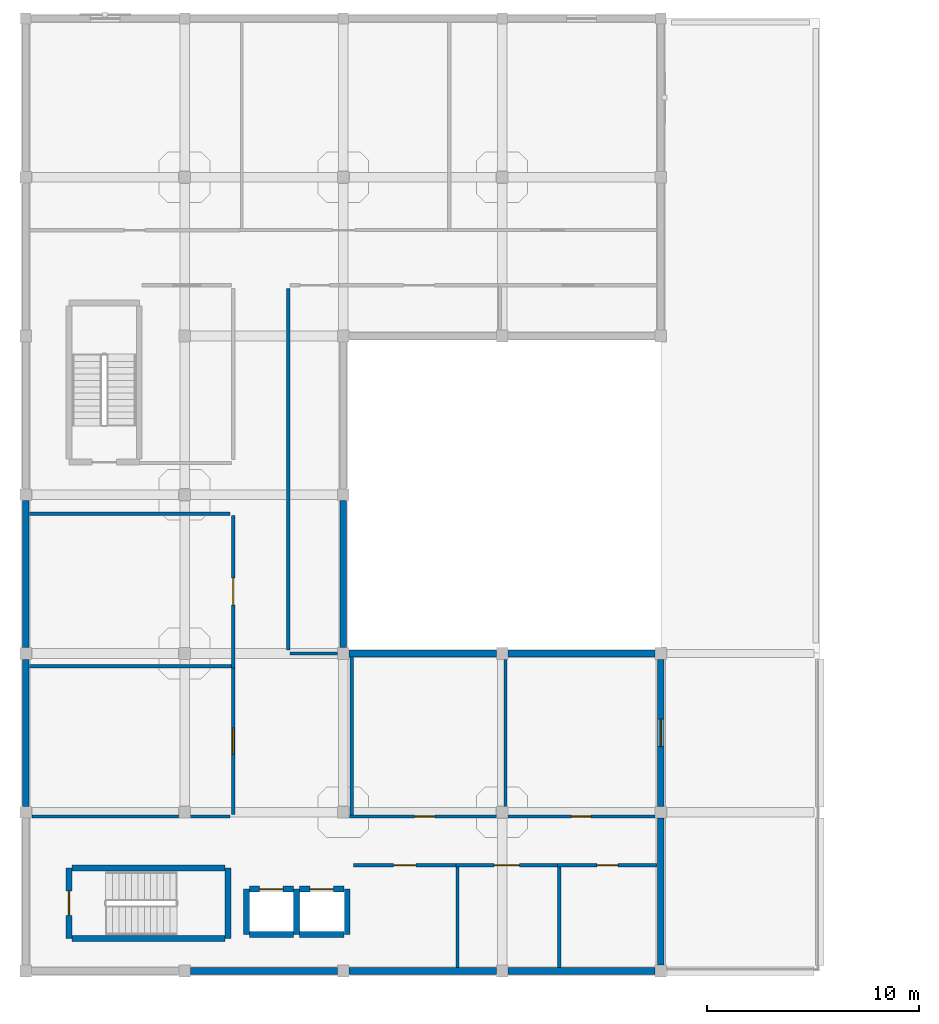
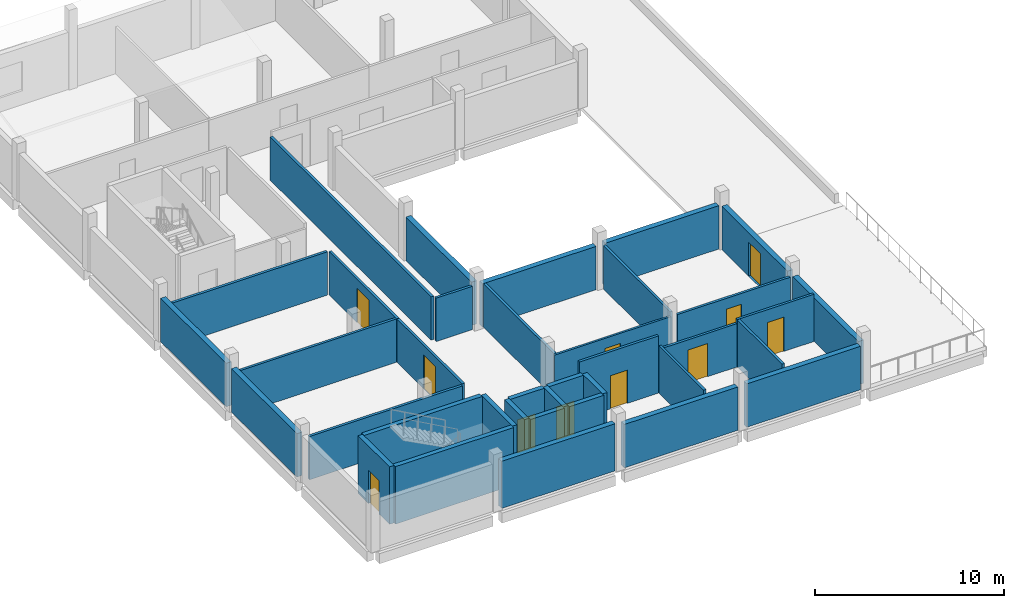
# One storey, part 4 of 14: 37 walls, 11 doors, 11 openings.
"""IFC4 building model written with IfcOpenShell, lengths in metres."""

from ifc_helpers import new_model, si_unit, direction, frame, frame_2d, origin, place, context, subcontext, project, spatial, rectangle, extrude, material, layer, layer_set, type_object, element, fill, save


model = new_model("IFC4")

# Units and contexts
model_context = context("Model", 3, precision=1e-05, world=origin(), true_north=direction((0.0, 1.0)))
body_context = subcontext(model_context, "Body", "Model", "MODEL_VIEW")
ifc_project = project(units=[si_unit("LENGTHUNIT", "METRE"), si_unit("AREAUNIT", "SQUARE_METRE"), si_unit("VOLUMEUNIT", "CUBIC_METRE"), si_unit("PLANEANGLEUNIT", "RADIAN"), si_unit("MASSUNIT", "GRAM", prefix="KILO")], contexts=[model_context])

# Site, building, storey
site_placement = place(None, origin())
site = spatial("IfcSite", under=ifc_project, at=site_placement, CompositionType="ELEMENT")
building_placement = place(site_placement, origin())
building = spatial("IfcBuilding", under=site, at=building_placement, Name="Mawjan Specialist Oncology Clinic", CompositionType="ELEMENT")
storey_placement = place(building_placement, frame((0.0, 0.0, 17.5)))
storey = spatial("IfcBuildingStorey", under=building, at=storey_placement, Name="L04", CompositionType="ELEMENT", Elevation=17.5)

# Walls
ifc_material_1 = material(Name="Precast concrete C40/50", Category="concrete")
ifc_layer_1 = layer(ifc_material_1, 0.320068359375, Name="Precast concrete C40/50", Category="concrete")
ifc_layer_set_1 = layer_set([ifc_layer_1], Name="Precast concrete C40/50")
wall_type_1 = type_object("IfcWallType", Name="EW-320", PredefinedType="SOLIDWALL", material=ifc_layer_set_1)
wall_1_placement = place(storey_placement, frame((15.0, 23.02490234375, 0.0), z_axis=(0.0, 0.0, 1.0), x_axis=(0.0, -1.0, 0.0)))
element("IfcWall", 1, at=wall_1_placement, inside=storey, type_object=wall_type_1, Name="L04 Coral-Limestone Exterior Wall EW-L04-345", PredefinedType="SOLIDWALL", context=body_context, shape_type="SweptSolid", body=[
    extrude(rectangle(XDim=6.949951171875, YDim=0.320068359375, at=frame_2d((3.47509765625, 0.0))), origin(), (0.0, 0.0, 1.0), 2.804931640625),
])
for number, where, z_axis, x_axis, name in (
    (2, (15.27490234375, 15.800048828125, 0.0), (0.0, 0.0, 1.0), (1.0, 0.0, 0.0), "L04 Coral-Limestone Exterior Wall EW-L04-346"),
    (3, (22.77490234375, 15.800048828125, 0.0), (0.0, 0.0, 1.0), (1.0, 0.0, 0.0), "L04 Coral-Limestone Exterior Wall EW-L04-347"),
):
    element("IfcWall", number, at=place(storey_placement, frame(where, z_axis=z_axis, x_axis=x_axis)), inside=storey, type_object=wall_type_1, Name=name, PredefinedType="SOLIDWALL", context=body_context, shape_type="SweptSolid", body=[
        extrude(rectangle(XDim=6.9501953125, YDim=0.320068359375, at=frame_2d((3.47509765625, 0.0))), origin(), (0.0, 0.0, 1.0), 2.804931640625),
    ])

# Wall, opening, door
wall_2_placement = place(storey_placement, frame((30.0, 15.52490234375, 0.0), z_axis=(0.0, 0.0, 1.0), x_axis=(0.0, -1.0, 0.0)))
wall_2 = element("IfcWall", 4, at=wall_2_placement, inside=storey, type_object=wall_type_1, Name="L04 Coral-Limestone Exterior Wall EW-L04-348", PredefinedType="SOLIDWALL", context=body_context, shape_type="SweptSolid", body=[
    extrude(rectangle(XDim=6.949951171875, YDim=0.320068359375, at=frame_2d((3.47509765625, 0.0))), origin(), (0.0, 0.0, 1.0), 2.804931640625),
])
opening_1_placement = place(wall_2_placement, frame((2.824951171875, 0.0, 0.0)))
opening_1 = element("IfcOpeningElement", 5, at=opening_1_placement, cuts=wall_2, Name="Opening DT-130", PredefinedType="OPENING", context=body_context, shape_type="SweptSolid", body=[
    extrude(rectangle(XDim=1.300048828125, YDim=2.199951171875, at=frame_2d((0.64990234375, 1.10009765625))), frame((0.0, 0.172119140625, 0.0), z_axis=(0.0, -1.0, 0.0), x_axis=(1.0, 0.0, 0.0)), (0.0, 0.0, 1.0), 0.343994140625),
])
ifc_material_2 = material(Name="Insulated marine-grade aluminium entrance assembly", Category="aluminium")
door_type_1 = type_object("IfcDoorType", Name="DT-130", OperationType="NOTDEFINED", PredefinedType="DOOR", material=ifc_material_2)
door_1_placement = place(opening_1_placement, origin())
door_1 = element("IfcDoor", 6, at=door_1_placement, inside=storey, type_object=door_type_1, Name="L04 Healing Terrace Access Door 6", OperationType="SINGLE_SWING_LEFT", OverallHeight=2.199951171875, OverallWidth=1.300048828125, PredefinedType="DOOR", context=body_context, shape_type="SweptSolid", body=[
    extrude(rectangle(XDim=1.300048828125, YDim=2.199951171875, at=frame_2d((0.64990234375, 1.10009765625))), frame((0.0, 0.02490234375, 0.0), z_axis=(0.0, -1.0, 0.0), x_axis=(1.0, 0.0, 0.0)), (0.0, 0.0, 1.0), 0.050048828125),
])
fill(opening_1, door_1)

# Walls
wall_3_placement = place(storey_placement, frame((30.0, 8.02490234375, 0.0), z_axis=(0.0, 0.0, 1.0), x_axis=(0.0, -1.0, 0.0)))
element("IfcWall", 7, at=wall_3_placement, inside=storey, type_object=wall_type_1, Name="L04 Coral-Limestone Exterior Wall EW-L04-349", PredefinedType="SOLIDWALL", context=body_context, shape_type="SweptSolid", body=[
    extrude(rectangle(XDim=6.949951171875, YDim=0.320068359375, at=frame_2d((3.47509765625, 0.0))), origin(), (0.0, 0.0, 1.0), 2.804931640625),
])
for number, where, z_axis, x_axis, name in (
    (8, (29.72509765625, 0.800048828125, 0.0), (0.0, 0.0, 1.0), (-1.0, 0.0, 0.0), "L04 Coral-Limestone Exterior Wall EW-L04-350"),
    (9, (22.22509765625, 0.800048828125, 0.0), (0.0, 0.0, 1.0), (-1.0, 0.0, 0.0), "L04 Coral-Limestone Exterior Wall EW-L04-351"),
):
    element("IfcWall", number, at=place(storey_placement, frame(where, z_axis=z_axis, x_axis=x_axis)), inside=storey, type_object=wall_type_1, Name=name, PredefinedType="SOLIDWALL", context=body_context, shape_type="SweptSolid", body=[
        extrude(rectangle(XDim=6.9501953125, YDim=0.320068359375, at=frame_2d((3.47509765625, 0.0))), origin(), (0.0, 0.0, 1.0), 2.804931640625),
    ])
wall_4_placement = place(storey_placement, frame((14.72509765625, 0.800048828125, 0.0), z_axis=(0.0, 0.0, 1.0), x_axis=(-1.0, 0.0, 0.0)))
element("IfcWall", 10, at=wall_4_placement, inside=storey, type_object=wall_type_1, Name="L04 Coral-Limestone Exterior Wall EW-L04-352", PredefinedType="SOLIDWALL", context=body_context, shape_type="SweptSolid", body=[
    extrude(rectangle(XDim=6.9501953125, YDim=0.320068359375, at=frame_2d((3.47509765625, 0.0))), origin(), (0.0, 0.0, 1.0), 3.054931640625),
])
for number, where, z_axis, x_axis, name in (
    (11, (0.0, 8.574951171875, 0.0), (0.0, 0.0, 1.0), (0.0, 1.0, 0.0), "L04 Coral-Limestone Exterior Wall EW-L04-355"),
    (12, (0.0, 16.074951171875, 0.0), (0.0, 0.0, 1.0), (0.0, 1.0, 0.0), "L04 Coral-Limestone Exterior Wall EW-L04-356"),
):
    element("IfcWall", number, at=place(storey_placement, frame(where, z_axis=z_axis, x_axis=x_axis)), inside=storey, type_object=wall_type_1, Name=name, PredefinedType="SOLIDWALL", context=body_context, shape_type="SweptSolid", body=[
        extrude(rectangle(XDim=6.949951171875, YDim=0.320068359375, at=frame_2d((3.47509765625, 0.0))), origin(), (0.0, 0.0, 1.0), 2.804931640625),
    ])
ifc_material_3 = material(Name="Concrete C45/55", Category="concrete")
ifc_layer_2 = layer(ifc_material_3, 0.280029296875, Name="Concrete C45/55", Category="concrete")
ifc_layer_set_2 = layer_set([ifc_layer_2], Name="Concrete C45/55")
wall_type_2 = type_object("IfcWallType", Name="SW-300", PredefinedType="SHEAR", material=ifc_layer_set_2)
wall_5_placement = place(storey_placement, frame((2.18505859375, 2.340087890625, 0.0), z_axis=(0.0, 0.0, 1.0), x_axis=(1.0, 0.0, 0.0)))
element("IfcWall", 13, at=wall_5_placement, inside=storey, type_object=wall_type_2, Name="L04 Core K1 Stair Shear Wall 1", PredefinedType="SHEAR", context=body_context, shape_type="SweptSolid", body=[
    extrude(rectangle(XDim=7.22998046875, YDim=0.280029296875, at=frame_2d((3.614990234375, 0.0))), origin(), (0.0, 0.0, 1.0), 3.719970703125),
])
wall_6_placement = place(storey_placement, frame((9.56005859375, 2.340087890625, 0.0), z_axis=(0.0, 0.0, 1.0), x_axis=(0.0, 1.0, 0.0)))
element("IfcWall", 14, at=wall_6_placement, inside=storey, type_object=wall_type_2, Name="L04 Core K1 Stair Shear Wall 2", PredefinedType="SHEAR", context=body_context, shape_type="SweptSolid", body=[
    extrude(rectangle(XDim=3.31982421875, YDim=0.280029296875, at=frame_2d((1.659912109375, 0.0))), origin(), (0.0, 0.0, 1.0), 3.719970703125),
])
wall_7_placement = place(storey_placement, frame((9.4150390625, 5.659912109375, 0.0), z_axis=(0.0, 0.0, 1.0), x_axis=(-1.0, 0.0, 0.0)))
element("IfcWall", 15, at=wall_7_placement, inside=storey, type_object=wall_type_2, Name="L04 Core K1 Stair Shear Wall 3", PredefinedType="SHEAR", context=body_context, shape_type="SweptSolid", body=[
    extrude(rectangle(XDim=7.22998046875, YDim=0.280029296875, at=frame_2d((3.614990234375, 0.0))), origin(), (0.0, 0.0, 1.0), 3.719970703125),
])

# Wall, opening, door
wall_8_placement = place(storey_placement, frame((2.0400390625, 5.659912109375, 0.0), z_axis=(0.0, 0.0, 1.0), x_axis=(0.0, -1.0, 0.0)))
wall_8 = element("IfcWall", 16, at=wall_8_placement, inside=storey, type_object=wall_type_2, Name="L04 Core K1 Stair Shear Wall 4", PredefinedType="SHEAR", context=body_context, shape_type="SweptSolid", body=[
    extrude(rectangle(XDim=3.31982421875, YDim=0.280029296875, at=frame_2d((1.659912109375, 0.0))), origin(), (0.0, 0.0, 1.0), 3.719970703125),
])
opening_2_placement = place(wall_8_placement, frame((1.0849609375, 0.0, 0.0)))
opening_2 = element("IfcOpeningElement", 17, at=opening_2_placement, cuts=wall_8, Name="Opening FD-90", PredefinedType="OPENING", context=body_context, shape_type="SweptSolid", body=[
    extrude(rectangle(XDim=1.14990234375, YDim=2.14990234375, at=frame_2d((0.574951171875, 1.074951171875))), frame((0.0, 0.152099609375, 0.0), z_axis=(0.0, -1.0, 0.0), x_axis=(1.0, 0.0, 0.0)), (0.0, 0.0, 1.0), 0.303955078125),
])
ifc_material_4 = material(Name="Stainless-steel fire-rated hospital door", Category="steel")
door_type_2 = type_object("IfcDoorType", Name="FD-90", OperationType="NOTDEFINED", PredefinedType="DOOR", material=ifc_material_4)
door_2_placement = place(opening_2_placement, origin())
door_2 = element("IfcDoor", 18, at=door_2_placement, inside=storey, type_object=door_type_2, Name="L04 ST-01 Fire Exit Stair Door", OperationType="SINGLE_SWING_LEFT", OverallHeight=2.14990234375, OverallWidth=1.14990234375, PredefinedType="DOOR", context=body_context, shape_type="SweptSolid", body=[
    extrude(rectangle(XDim=1.14990234375, YDim=2.14990234375, at=frame_2d((0.574951171875, 1.074951171875))), frame((0.0, 0.02490234375, 0.0), z_axis=(0.0, -1.0, 0.0), x_axis=(1.0, 0.0, 0.0)), (0.0, 0.0, 1.0), 0.050048828125),
])
fill(opening_2, door_2)

# Walls
wall_9_placement = place(storey_placement, frame((10.5615234375, 2.529296875, 0.0), z_axis=(0.0, 0.0, 1.0), x_axis=(1.0, 0.0, 0.0)))
element("IfcWall", 19, at=wall_9_placement, inside=storey, type_object=wall_type_2, Name="L04 LF-03 Hoistway Wall 1", PredefinedType="SHEAR", context=body_context, shape_type="SweptSolid", body=[
    extrude(rectangle(XDim=2.076904296875, YDim=0.280029296875, at=frame_2d((1.03857421875, 0.0))), origin(), (0.0, 0.0, 1.0), 3.719970703125),
])
wall_10_placement = place(storey_placement, frame((12.783447265625, 2.529296875, 0.0), z_axis=(0.0, 0.0, 1.0), x_axis=(0.0, 1.0, 0.0)))
element("IfcWall", 20, at=wall_10_placement, inside=storey, type_object=wall_type_2, Name="L04 LF-03 Hoistway Wall 2", PredefinedType="SHEAR", context=body_context, shape_type="SweptSolid", body=[
    extrude(rectangle(XDim=2.141357421875, YDim=0.280029296875, at=frame_2d((1.07080078125, 0.0))), origin(), (0.0, 0.0, 1.0), 3.719970703125),
])

# Wall, opening, door
wall_11_placement = place(storey_placement, frame((12.638427734375, 4.670654296875, 0.0), z_axis=(0.0, 0.0, 1.0), x_axis=(-1.0, 0.0, 0.0)))
wall_11 = element("IfcWall", 21, at=wall_11_placement, inside=storey, type_object=wall_type_2, Name="L04 LF-03 Hoistway Wall 3", PredefinedType="SHEAR", context=body_context, shape_type="SweptSolid", body=[
    extrude(rectangle(XDim=2.076904296875, YDim=0.280029296875, at=frame_2d((1.03857421875, 0.0))), origin(), (0.0, 0.0, 1.0), 3.719970703125),
])
opening_3_placement = place(wall_11_placement, frame((0.488525390625, 0.0, 0.0)))
opening_3 = element("IfcOpeningElement", 22, at=opening_3_placement, cuts=wall_11, Name="Opening LD-03-L04", PredefinedType="OPENING", context=body_context, shape_type="SweptSolid", body=[
    extrude(rectangle(XDim=1.10009765625, YDim=2.14990234375, at=frame_2d((0.550048828125, 1.074951171875))), frame((0.0, 0.152099609375, 0.0), z_axis=(0.0, -1.0, 0.0), x_axis=(1.0, 0.0, 0.0)), (0.0, 0.0, 1.0), 0.303955078125),
])
ifc_material_5 = material(Name="Stainless-steel fire-rated hospital door", Category="steel")
door_type_3 = type_object("IfcDoorType", Name="LD-110", OperationType="SLIDING_TO_RIGHT", PredefinedType="DOOR", material=ifc_material_5)
door_3_placement = place(opening_3_placement, origin())
door_3 = element("IfcDoor", 23, at=door_3_placement, inside=storey, type_object=door_type_3, Name="L04 LF-03 Sliding Lift Landing Door", OperationType="SLIDING_TO_LEFT", OverallHeight=2.14990234375, OverallWidth=1.10009765625, PredefinedType="DOOR", context=body_context, shape_type="SweptSolid", body=[
    extrude(rectangle(XDim=1.10009765625, YDim=2.14990234375, at=frame_2d((0.550048828125, 1.074951171875))), frame((0.0, 0.02490234375, 0.0), z_axis=(0.0, -1.0, 0.0), x_axis=(1.0, 0.0, 0.0)), (0.0, 0.0, 1.0), 0.050048828125),
])
fill(opening_3, door_3)

# Walls
wall_12_placement = place(storey_placement, frame((10.41650390625, 4.670654296875, 0.0), z_axis=(0.0, 0.0, 1.0), x_axis=(0.0, -1.0, 0.0)))
element("IfcWall", 24, at=wall_12_placement, inside=storey, type_object=wall_type_2, Name="L04 LF-03 Hoistway Wall 4", PredefinedType="SHEAR", context=body_context, shape_type="SweptSolid", body=[
    extrude(rectangle(XDim=2.141357421875, YDim=0.280029296875, at=frame_2d((1.07080078125, 0.0))), origin(), (0.0, 0.0, 1.0), 3.719970703125),
])
wall_13_placement = place(storey_placement, frame((12.928466796875, 2.529296875, 0.0), z_axis=(0.0, 0.0, 1.0), x_axis=(1.0, 0.0, 0.0)))
element("IfcWall", 25, at=wall_13_placement, inside=storey, type_object=wall_type_2, Name="L04 LF-04 Hoistway Wall 1", PredefinedType="SHEAR", context=body_context, shape_type="SweptSolid", body=[
    extrude(rectangle(XDim=2.110107421875, YDim=0.280029296875, at=frame_2d((1.05517578125, 0.0))), origin(), (0.0, 0.0, 1.0), 3.719970703125),
])
wall_14_placement = place(storey_placement, frame((15.18359375, 2.529296875, 0.0), z_axis=(0.0, 0.0, 1.0), x_axis=(0.0, 1.0, 0.0)))
element("IfcWall", 26, at=wall_14_placement, inside=storey, type_object=wall_type_2, Name="L04 LF-04 Hoistway Wall 2", PredefinedType="SHEAR", context=body_context, shape_type="SweptSolid", body=[
    extrude(rectangle(XDim=2.141357421875, YDim=0.280029296875, at=frame_2d((1.07080078125, 0.0))), origin(), (0.0, 0.0, 1.0), 3.719970703125),
])

# Wall, opening, door
wall_15_placement = place(storey_placement, frame((15.03857421875, 4.670654296875, 0.0), z_axis=(0.0, 0.0, 1.0), x_axis=(-1.0, 0.0, 0.0)))
wall_15 = element("IfcWall", 27, at=wall_15_placement, inside=storey, type_object=wall_type_2, Name="L04 LF-04 Hoistway Wall 3", PredefinedType="SHEAR", context=body_context, shape_type="SweptSolid", body=[
    extrude(rectangle(XDim=2.110107421875, YDim=0.280029296875, at=frame_2d((1.05517578125, 0.0))), origin(), (0.0, 0.0, 1.0), 3.719970703125),
])
opening_4_placement = place(wall_15_placement, frame((0.5048828125, 0.0, 0.0)))
opening_4 = element("IfcOpeningElement", 28, at=opening_4_placement, cuts=wall_15, Name="Opening LD-04-L04", PredefinedType="OPENING", context=body_context, shape_type="SweptSolid", body=[
    extrude(rectangle(XDim=1.10009765625, YDim=2.14990234375, at=frame_2d((0.550048828125, 1.074951171875))), frame((0.0, 0.152099609375, 0.0), z_axis=(0.0, -1.0, 0.0), x_axis=(1.0, 0.0, 0.0)), (0.0, 0.0, 1.0), 0.303955078125),
])
door_4_placement = place(opening_4_placement, origin())
door_4 = element("IfcDoor", 29, at=door_4_placement, inside=storey, type_object=door_type_3, Name="L04 LF-04 Sliding Lift Landing Door", OperationType="SLIDING_TO_RIGHT", OverallHeight=2.14990234375, OverallWidth=1.10009765625, PredefinedType="DOOR", context=body_context, shape_type="SweptSolid", body=[
    extrude(rectangle(XDim=1.10009765625, YDim=2.14990234375, at=frame_2d((0.550048828125, 1.074951171875))), frame((0.0, 0.02490234375, 0.0), z_axis=(0.0, -1.0, 0.0), x_axis=(1.0, 0.0, 0.0)), (0.0, 0.0, 1.0), 0.050048828125),
])
fill(opening_4, door_4)

ifc_material_6 = material(Name="Moisture-resistant washroom partition", Category="gypsum")
ifc_layer_3 = layer(ifc_material_6, 0.125, Name="Moisture-resistant washroom partition", Category="gypsum")
ifc_layer_set_3 = layer_set([ifc_layer_3], Name="Moisture-resistant washroom partition")
wall_type_3 = type_object("IfcWallType", Name="WP-125", PredefinedType="PARTITIONING", material=ifc_layer_set_3)
wall_16_placement = place(storey_placement, frame((15.287109375, 8.10009765625, 0.0), z_axis=(0.0, 0.0, 1.0), x_axis=(1.0, 0.0, 0.0)))
wall_16 = element("IfcWall", 30, at=wall_16_placement, inside=storey, type_object=wall_type_3, Name="L04 Interior Partition W-INT-L04-0421-C", PredefinedType="PARTITIONING", context=body_context, shape_type="SweptSolid", body=[
    extrude(rectangle(XDim=7.120849609375, YDim=0.125, at=frame_2d((3.560546875, 0.0))), origin(), (0.0, 0.0, 1.0), 2.804931640625),
])
opening_5_placement = place(wall_16_placement, frame((3.08544921875, 0.0, 0.0)))
opening_5 = element("IfcOpeningElement", 31, at=opening_5_placement, cuts=wall_16, Name="Opening DA-95", PredefinedType="OPENING", context=body_context, shape_type="SweptSolid", body=[
    extrude(rectangle(XDim=0.949951171875, YDim=2.14990234375, at=frame_2d((0.47509765625, 1.074951171875))), frame((0.0, 0.074462890625, 0.0), z_axis=(0.0, -1.0, 0.0), x_axis=(1.0, 0.0, 0.0)), (0.0, 0.0, 1.0), 0.14892578125),
])
ifc_material_7 = material(Name="Acoustic laminate hospital door leaf", Category="wood")
door_type_4 = type_object("IfcDoorType", Name="DA-95", OperationType="NOTDEFINED", PredefinedType="DOOR", material=ifc_material_7)
door_5_placement = place(opening_5_placement, origin())
door_5 = element("IfcDoor", 32, at=door_5_placement, inside=storey, type_object=door_type_4, Name="L04 Specialist Diagnostic Exam Room Door", OperationType="SINGLE_SWING_LEFT", OverallHeight=2.14990234375, OverallWidth=0.949951171875, PredefinedType="DOOR", context=body_context, shape_type="SweptSolid", body=[
    extrude(rectangle(XDim=0.949951171875, YDim=2.14990234375, at=frame_2d((0.47509765625, 1.074951171875))), frame((0.0, 0.02490234375, 0.0), z_axis=(0.0, -1.0, 0.0), x_axis=(1.0, 0.0, 0.0)), (0.0, 0.0, 1.0), 0.050048828125),
])
fill(opening_5, door_5)

ifc_material_8 = material(Name="Acoustic gypsum clinical partition", Category="gypsum")
ifc_layer_4 = layer(ifc_material_8, 0.14990234375, Name="Acoustic gypsum clinical partition", Category="gypsum")
ifc_layer_set_4 = layer_set([ifc_layer_4], Name="Acoustic gypsum clinical partition")
wall_type_4 = type_object("IfcWallType", Name="WP-150", PredefinedType="PARTITIONING", material=ifc_layer_set_4)
wall_17_placement = place(storey_placement, frame((20.326904296875, 5.800048828125, 0.0), z_axis=(0.0, 0.0, 1.0), x_axis=(1.0, 0.0, 0.0)))
wall_17 = element("IfcWall", 33, at=wall_17_placement, inside=storey, type_object=wall_type_4, Name="L04 Interior Partition W-INT-L04-402-C", PredefinedType="PARTITIONING", context=body_context, shape_type="SweptSolid", body=[
    extrude(rectangle(XDim=4.7880859375, YDim=0.14990234375, at=frame_2d((2.39404296875, 0.0))), origin(), (0.0, 0.0, 1.0), 2.804931640625),
])
opening_6_placement = place(wall_17_placement, frame((1.7939453125, 0.0, 0.0)))
opening_6 = element("IfcOpeningElement", 34, at=opening_6_placement, cuts=wall_17, Name="Opening DC-120", PredefinedType="OPENING", context=body_context, shape_type="SweptSolid", body=[
    extrude(rectangle(XDim=1.199951171875, YDim=2.14990234375, at=frame_2d((0.60009765625, 1.074951171875))), frame((0.0, 0.0869140625, 0.0), z_axis=(0.0, -1.0, 0.0), x_axis=(1.0, 0.0, 0.0)), (0.0, 0.0, 1.0), 0.173828125),
])
ifc_material_9 = material(Name="Acoustic laminate hospital door leaf", Category="wood")
door_type_5 = type_object("IfcDoorType", Name="DC-120", OperationType="NOTDEFINED", PredefinedType="DOOR", material=ifc_material_9)
door_6_placement = place(opening_6_placement, origin())
door_6 = element("IfcDoor", 35, at=door_6_placement, inside=storey, type_object=door_type_5, Name="L04 Dermatology Oncology Exam Room Door", OperationType="SINGLE_SWING_RIGHT", OverallHeight=2.14990234375, OverallWidth=1.199951171875, PredefinedType="DOOR", context=body_context, shape_type="SweptSolid", body=[
    extrude(rectangle(XDim=1.199951171875, YDim=2.14990234375, at=frame_2d((0.60009765625, 1.074951171875))), frame((0.0, 0.02490234375, 0.0), z_axis=(0.0, -1.0, 0.0), x_axis=(1.0, 0.0, 0.0)), (0.0, 0.0, 1.0), 0.050048828125),
])
fill(opening_6, door_6)

wall_18_placement = place(storey_placement, frame((25.126953125, 5.800048828125, 0.0), z_axis=(0.0, 0.0, 1.0), x_axis=(1.0, 0.0, 0.0)))
wall_18 = element("IfcWall", 36, at=wall_18_placement, inside=storey, type_object=wall_type_4, Name="L04 Interior Partition W-INT-L04-403-C", PredefinedType="PARTITIONING", context=body_context, shape_type="SweptSolid", body=[
    extrude(rectangle(XDim=4.700927734375, YDim=0.14990234375, at=frame_2d((2.3505859375, 0.0))), origin(), (0.0, 0.0, 1.0), 3.054931640625),
])
opening_7_placement = place(wall_18_placement, frame((1.8505859375, 0.0, 0.0)))
opening_7 = element("IfcOpeningElement", 37, at=opening_7_placement, cuts=wall_18, Name="Opening DA-100", PredefinedType="OPENING", context=body_context, shape_type="SweptSolid", body=[
    extrude(rectangle(XDim=1.0, YDim=2.219970703125, at=frame_2d((0.5, 1.10986328125))), frame((0.0, 0.0869140625, 0.0), z_axis=(0.0, -1.0, 0.0), x_axis=(1.0, 0.0, 0.0)), (0.0, 0.0, 1.0), 0.173828125),
])
ifc_material_10 = material(Name="Acoustic laminate hospital door leaf", Category="wood")
door_type_6 = type_object("IfcDoorType", Name="DA-100", OperationType="NOTDEFINED", PredefinedType="DOOR", material=ifc_material_10)
door_7_placement = place(opening_7_placement, origin())
door_7 = element("IfcDoor", 38, at=door_7_placement, inside=storey, type_object=door_type_6, Name="L04 Accessible Toilet Door", OperationType="SINGLE_SWING_LEFT", OverallHeight=2.219970703125, OverallWidth=1.0, PredefinedType="DOOR", context=body_context, shape_type="SweptSolid", body=[
    extrude(rectangle(XDim=1.0, YDim=2.219970703125, at=frame_2d((0.5, 1.10986328125))), frame((0.0, 0.02490234375, 0.0), z_axis=(0.0, -1.0, 0.0), x_axis=(1.0, 0.0, 0.0)), (0.0, 0.0, 1.0), 0.050048828125),
])
fill(opening_7, door_7)

wall_19_placement = place(storey_placement, frame((22.787109375, 8.10009765625, 0.0), z_axis=(0.0, 0.0, 1.0), x_axis=(1.0, 0.0, 0.0)))
wall_19 = element("IfcWall", 39, at=wall_19_placement, inside=storey, type_object=wall_type_4, Name="L04 Interior Partition W-INT-L04-0422-C", PredefinedType="PARTITIONING", context=body_context, shape_type="SweptSolid", body=[
    extrude(rectangle(XDim=6.92578125, YDim=0.14990234375, at=frame_2d((3.462890625, 0.0))), origin(), (0.0, 0.0, 1.0), 2.804931640625),
])
opening_8_placement = place(wall_19_placement, frame((3.0029296875, 0.0, 0.0)))
opening_8 = element("IfcOpeningElement", 40, at=opening_8_placement, cuts=wall_19, Name="Opening DI-92", PredefinedType="OPENING", context=body_context, shape_type="SweptSolid", body=[
    extrude(rectangle(XDim=0.919921875, YDim=2.10009765625, at=frame_2d((0.4599609375, 1.050048828125))), frame((0.0, 0.0869140625, 0.0), z_axis=(0.0, -1.0, 0.0), x_axis=(1.0, 0.0, 0.0)), (0.0, 0.0, 1.0), 0.173828125),
])
ifc_material_11 = material(Name="Acoustic laminate hospital door leaf", Category="wood")
door_type_7 = type_object("IfcDoorType", Name="DI-92", OperationType="NOTDEFINED", PredefinedType="DOOR", material=ifc_material_11)
door_8_placement = place(opening_8_placement, origin())
door_8 = element("IfcDoor", 41, at=door_8_placement, inside=storey, type_object=door_type_7, Name="L04 Oncology Nurse Counseling Room Door", OperationType="SINGLE_SWING_RIGHT", OverallHeight=2.10009765625, OverallWidth=0.919921875, PredefinedType="DOOR", context=body_context, shape_type="SweptSolid", body=[
    extrude(rectangle(XDim=0.919921875, YDim=2.10009765625, at=frame_2d((0.4599609375, 1.050048828125))), frame((0.0, 0.02490234375, 0.0), z_axis=(0.0, -1.0, 0.0), x_axis=(1.0, 0.0, 0.0)), (0.0, 0.0, 1.0), 0.050048828125),
])
fill(opening_8, door_8)

wall_20_placement = place(storey_placement, frame((9.800048828125, 8.18505859375, 0.0), z_axis=(0.0, 0.0, 1.0), x_axis=(0.0, 1.0, 0.0)))
wall_20 = element("IfcWall", 42, at=wall_20_placement, inside=storey, type_object=wall_type_4, Name="L04 Interior Partition W-INT-L04-0431-V", PredefinedType="PARTITIONING", context=body_context, shape_type="SweptSolid", body=[
    extrude(rectangle(XDim=6.929931640625, YDim=0.14990234375, at=frame_2d((3.46484375, 0.0))), origin(), (0.0, 0.0, 1.0), 2.804931640625),
])
opening_9_placement = place(wall_20_placement, frame((2.844970703125, 0.0, 0.0)))
opening_9 = element("IfcOpeningElement", 43, at=opening_9_placement, cuts=wall_20, Name="Opening DC-124", PredefinedType="OPENING", context=body_context, shape_type="SweptSolid", body=[
    extrude(rectangle(XDim=1.239990234375, YDim=2.199951171875, at=frame_2d((0.6201171875, 1.10009765625))), frame((0.0, 0.0869140625, 0.0), z_axis=(0.0, -1.0, 0.0), x_axis=(1.0, 0.0, 0.0)), (0.0, 0.0, 1.0), 0.173828125),
])
ifc_material_12 = material(Name="Acoustic laminate hospital door leaf", Category="wood")
door_type_8 = type_object("IfcDoorType", Name="DC-124", OperationType="NOTDEFINED", PredefinedType="DOOR", material=ifc_material_12)
door_9_placement = place(opening_9_placement, origin())
door_9 = element("IfcDoor", 44, at=door_9_placement, inside=storey, type_object=door_type_8, Name="L04 Outpatient Consultation Room Door", OperationType="SINGLE_SWING_LEFT", OverallHeight=2.199951171875, OverallWidth=1.239990234375, PredefinedType="DOOR", context=body_context, shape_type="SweptSolid", body=[
    extrude(rectangle(XDim=1.239990234375, YDim=2.199951171875, at=frame_2d((0.6201171875, 1.10009765625))), frame((0.0, 0.02490234375, 0.0), z_axis=(0.0, -1.0, 0.0), x_axis=(1.0, 0.0, 0.0)), (0.0, 0.0, 1.0), 0.050048828125),
])
fill(opening_9, door_9)

wall_21_placement = place(storey_placement, frame((9.800048828125, 15.126953125, 0.0), z_axis=(0.0, 0.0, 1.0), x_axis=(0.0, 1.0, 0.0)))
wall_21 = element("IfcWall", 45, at=wall_21_placement, inside=storey, type_object=wall_type_4, Name="L04 Interior Partition W-INT-L04-0432-V", PredefinedType="PARTITIONING", context=body_context, shape_type="SweptSolid", body=[
    extrude(rectangle(XDim=7.18798828125, YDim=0.14990234375, at=frame_2d((3.593994140625, 0.0))), origin(), (0.0, 0.0, 1.0), 2.804931640625),
])
opening_10_placement = place(wall_21_placement, frame((2.9541015625, 0.0, 0.0)))
opening_10 = element("IfcOpeningElement", 46, at=opening_10_placement, cuts=wall_21, Name="Opening DC-128", PredefinedType="OPENING", context=body_context, shape_type="SweptSolid", body=[
    extrude(rectangle(XDim=1.280029296875, YDim=2.219970703125, at=frame_2d((0.64013671875, 1.10986328125))), frame((0.0, 0.0869140625, 0.0), z_axis=(0.0, -1.0, 0.0), x_axis=(1.0, 0.0, 0.0)), (0.0, 0.0, 1.0), 0.173828125),
])
ifc_material_13 = material(Name="Acoustic laminate hospital door leaf", Category="wood")
door_type_9 = type_object("IfcDoorType", Name="DC-128", OperationType="NOTDEFINED", PredefinedType="DOOR", material=ifc_material_13)
door_10_placement = place(opening_10_placement, origin())
door_10 = element("IfcDoor", 47, at=door_10_placement, inside=storey, type_object=door_type_9, Name="L04 Clinical Assessment Suite Door", OperationType="SINGLE_SWING_RIGHT", OverallHeight=2.219970703125, OverallWidth=1.280029296875, PredefinedType="DOOR", context=body_context, shape_type="SweptSolid", body=[
    extrude(rectangle(XDim=1.280029296875, YDim=2.219970703125, at=frame_2d((0.64013671875, 1.10986328125))), frame((0.0, 0.02490234375, 0.0), z_axis=(0.0, -1.0, 0.0), x_axis=(1.0, 0.0, 0.0)), (0.0, 0.0, 1.0), 0.050048828125),
])
fill(opening_10, door_10)

# Walls
wall_22_placement = place(storey_placement, frame((12.485107421875, 15.800048828125, 0.0), z_axis=(0.0, 0.0, 1.0), x_axis=(1.0, 0.0, 0.0)))
element("IfcWall", 48, at=wall_22_placement, inside=storey, type_object=wall_type_4, Name="L04 Interior Partition W-INT-L04-0441-R", PredefinedType="PARTITIONING", context=body_context, shape_type="SweptSolid", body=[
    extrude(rectangle(XDim=2.227783203125, YDim=0.14990234375, at=frame_2d((1.11376953125, 0.0))), origin(), (0.0, 0.0, 1.0), 2.804931640625),
])
wall_23_placement = place(storey_placement, frame((20.39990234375, 0.971923828125, 0.0), z_axis=(0.0, 0.0, 1.0), x_axis=(0.0, 1.0, 0.0)))
element("IfcWall", 49, at=wall_23_placement, inside=storey, type_object=wall_type_4, Name="L04 Interior Partition W-INT-L04-401-D", PredefinedType="PARTITIONING", context=body_context, shape_type="SweptSolid", body=[
    extrude(rectangle(XDim=4.740966796875, YDim=0.14990234375, at=frame_2d((2.37060546875, 0.0))), origin(), (0.0, 0.0, 1.0), 3.054931640625),
])
wall_24_placement = place(storey_placement, frame((22.659912109375, 8.431884765625, 0.0), z_axis=(0.0, 0.0, 1.0), x_axis=(0.0, 1.0, 0.0)))
element("IfcWall", 50, at=wall_24_placement, inside=storey, type_object=wall_type_4, Name="L04 Interior Partition W-INT-L04-0421-D", PredefinedType="PARTITIONING", context=body_context, shape_type="SweptSolid", body=[
    extrude(rectangle(XDim=7.0810546875, YDim=0.14990234375, at=frame_2d((3.54052734375, 0.0))), origin(), (0.0, 0.0, 1.0), 2.804931640625),
])
wall_25_placement = place(storey_placement, frame((0.172119140625, 15.199951171875, 0.0), z_axis=(0.0, 0.0, 1.0), x_axis=(1.0, 0.0, 0.0)))
element("IfcWall", 51, at=wall_25_placement, inside=storey, type_object=wall_type_4, Name="L04 Interior Partition W-INT-L04-0431-H", PredefinedType="PARTITIONING", context=body_context, shape_type="SweptSolid", body=[
    extrude(rectangle(XDim=9.540771484375, YDim=0.14990234375, at=frame_2d((4.7705078125, 0.0))), origin(), (0.0, 0.0, 1.0), 2.804931640625),
])

# Wall, opening, door
ifc_material_14 = material(Name="Acoustic clinical twin-stud partition", Category="gypsum")
ifc_layer_5 = layer(ifc_material_14, 0.159912109375, Name="Acoustic clinical twin-stud partition", Category="gypsum")
ifc_layer_set_5 = layer_set([ifc_layer_5], Name="Acoustic clinical twin-stud partition")
wall_type_5 = type_object("IfcWallType", Name="WP-160", PredefinedType="PARTITIONING", material=ifc_layer_set_5)
wall_26_placement = place(storey_placement, frame((15.485107421875, 5.800048828125, 0.0), z_axis=(0.0, 0.0, 1.0), x_axis=(1.0, 0.0, 0.0)))
wall_26 = element("IfcWall", 52, at=wall_26_placement, inside=storey, type_object=wall_type_5, Name="L04 Interior Partition W-INT-L04-401-C", PredefinedType="PARTITIONING", context=body_context, shape_type="SweptSolid", body=[
    extrude(rectangle(XDim=4.829833984375, YDim=0.159912109375, at=frame_2d((2.4150390625, 0.0))), origin(), (0.0, 0.0, 1.0), 3.699951171875),
])
opening_11_placement = place(wall_26_placement, frame((1.889892578125, 0.0, 0.0)))
opening_11 = element("IfcOpeningElement", 53, at=opening_11_placement, cuts=wall_26, Name="Opening DI-105", PredefinedType="OPENING", context=body_context, shape_type="SweptSolid", body=[
    extrude(rectangle(XDim=1.050048828125, YDim=2.14990234375, at=frame_2d((0.52490234375, 1.074951171875))), frame((0.0, 0.092041015625, 0.0), z_axis=(0.0, -1.0, 0.0), x_axis=(1.0, 0.0, 0.0)), (0.0, 0.0, 1.0), 0.183837890625),
])
ifc_material_15 = material(Name="Acoustic laminate hospital door leaf", Category="wood")
door_type_10 = type_object("IfcDoorType", Name="DI-105", OperationType="NOTDEFINED", PredefinedType="DOOR", material=ifc_material_15)
door_11_placement = place(opening_11_placement, origin())
door_11 = element("IfcDoor", 54, at=door_11_placement, inside=storey, type_object=door_type_10, Name="L04 Survivorship Specialist Clinic Door", OperationType="SINGLE_SWING_LEFT", OverallHeight=2.14990234375, OverallWidth=1.050048828125, PredefinedType="DOOR", context=body_context, shape_type="SweptSolid", body=[
    extrude(rectangle(XDim=1.050048828125, YDim=2.14990234375, at=frame_2d((0.52490234375, 1.074951171875))), frame((0.0, 0.02490234375, 0.0), z_axis=(0.0, -1.0, 0.0), x_axis=(1.0, 0.0, 0.0)), (0.0, 0.0, 1.0), 0.050048828125),
])
fill(opening_11, door_11)

# Walls
wall_27_placement = place(storey_placement, frame((25.199951171875, 0.971923828125, 0.0), z_axis=(0.0, 0.0, 1.0), x_axis=(0.0, 1.0, 0.0)))
element("IfcWall", 55, at=wall_27_placement, inside=storey, type_object=wall_type_5, Name="L04 Interior Partition W-INT-L04-402-D", PredefinedType="PARTITIONING", context=body_context, shape_type="SweptSolid", body=[
    extrude(rectangle(XDim=4.740966796875, YDim=0.159912109375, at=frame_2d((2.37060546875, 0.0))), origin(), (0.0, 0.0, 1.0), 3.054931640625),
])
wall_28_placement = place(storey_placement, frame((15.39990234375, 8.174560546875, 0.0), z_axis=(0.0, 0.0, 1.0), x_axis=(0.0, 1.0, 0.0)))
element("IfcWall", 56, at=wall_28_placement, inside=storey, type_object=wall_type_5, Name="L04 Interior Partition W-INT-L04-0421-D0", PredefinedType="PARTITIONING", context=body_context, shape_type="SweptSolid", body=[
    extrude(rectangle(XDim=7.453369140625, YDim=0.159912109375, at=frame_2d((3.7265625, 0.0))), origin(), (0.0, 0.0, 1.0), 2.804931640625),
])
wall_29_placement = place(storey_placement, frame((0.287109375, 8.10009765625, 0.0), z_axis=(0.0, 0.0, 1.0), x_axis=(1.0, 0.0, 0.0)))
element("IfcWall", 57, at=wall_29_placement, inside=storey, type_object=wall_type_5, Name="L04 Interior Partition W-INT-L04-0431-H0", PredefinedType="PARTITIONING", context=body_context, shape_type="SweptSolid", body=[
    extrude(rectangle(XDim=9.347900390625, YDim=0.159912109375, at=frame_2d((4.673828125, 0.0))), origin(), (0.0, 0.0, 1.0), 2.804931640625),
])
wall_30_placement = place(storey_placement, frame((0.172119140625, 22.39990234375, 0.0), z_axis=(0.0, 0.0, 1.0), x_axis=(1.0, 0.0, 0.0)))
element("IfcWall", 58, at=wall_30_placement, inside=storey, type_object=wall_type_5, Name="L04 Interior Partition W-INT-L04-0432-H", PredefinedType="PARTITIONING", context=body_context, shape_type="SweptSolid", body=[
    extrude(rectangle(XDim=9.462890625, YDim=0.159912109375, at=frame_2d((4.7314453125, 0.0))), origin(), (0.0, 0.0, 1.0), 2.804931640625),
])
wall_31_placement = place(storey_placement, frame((12.39990234375, 15.965087890625, 0.0), z_axis=(0.0, 0.0, 1.0), x_axis=(0.0, 1.0, 0.0)))
element("IfcWall", 59, at=wall_31_placement, inside=storey, type_object=wall_type_5, Name="L04 Interior Partition W-INT-L04-0441-D0", PredefinedType="PARTITIONING", context=body_context, shape_type="SweptSolid", body=[
    extrude(rectangle(XDim=17.06982421875, YDim=0.159912109375, at=frame_2d((8.534912109375, 0.0))), origin(), (0.0, 0.0, 1.0), 2.804931640625),
])

save(model, "model.ifc")
